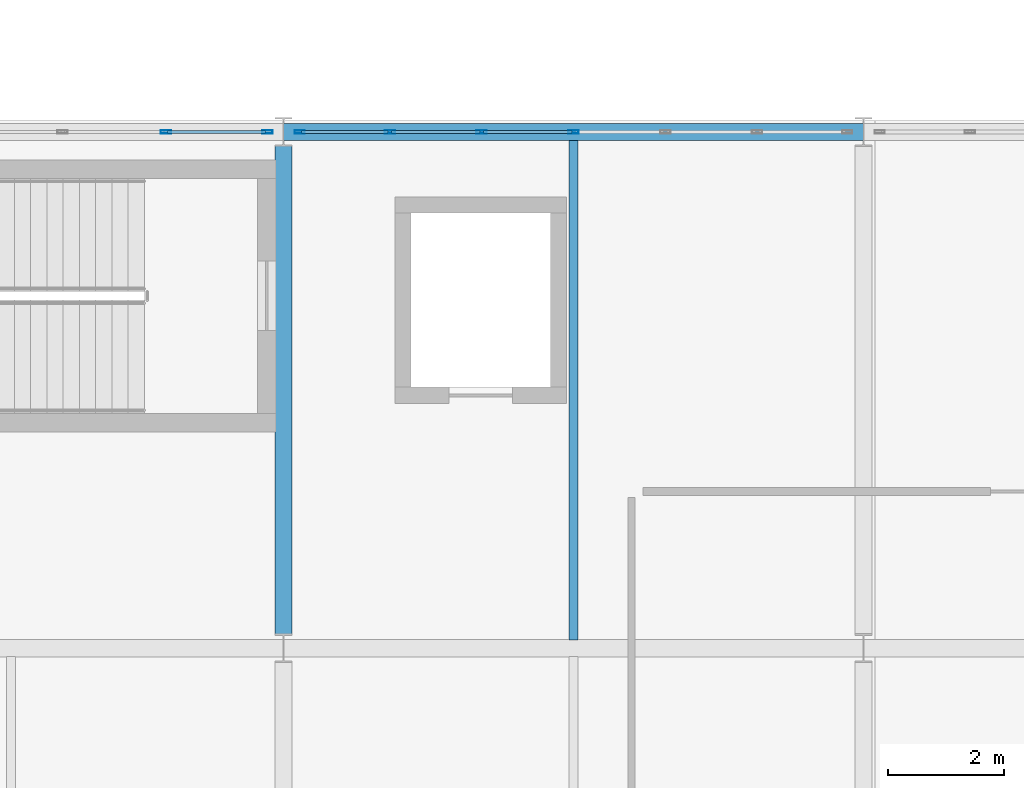
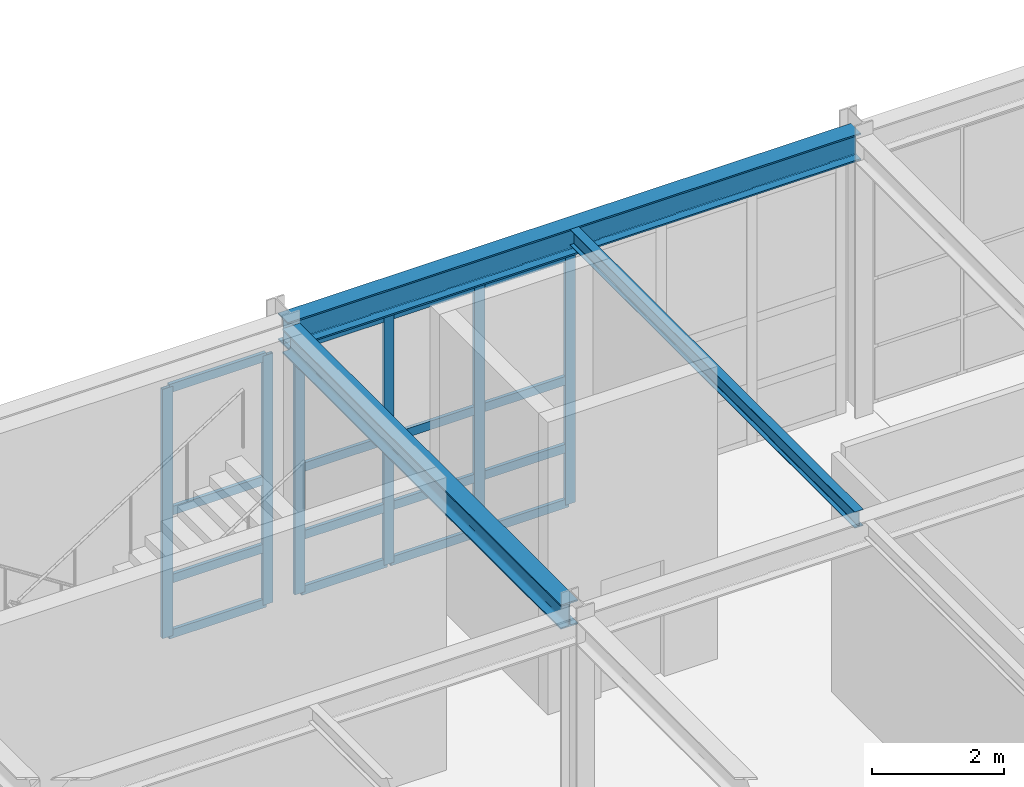
# One storey, part 99 of 210: 22 members, 3 beams, 2 elements without a shape of their own.
"""IFC4 building model written with IfcOpenShell, lengths in metres."""

from ifc_helpers import new_model, si_unit, direction, frame, origin, origin_2d, place, context, subcontext, project, spatial, hollow_rectangle, i_section, extrude, material, material_profile, profile_set, type_object, element, aggregate, save


model = new_model("IFC4")

# Units and contexts
model_context = context("Model", 3, precision=1e-05, world=origin(), true_north=direction((0.0, 1.0)))
body_context = subcontext(model_context, "Body", "Model", "MODEL_VIEW")
ifc_project = project(units=[si_unit("LENGTHUNIT", "METRE"), si_unit("AREAUNIT", "SQUARE_METRE"), si_unit("VOLUMEUNIT", "CUBIC_METRE"), si_unit("PLANEANGLEUNIT", "RADIAN"), si_unit("MASSUNIT", "GRAM", prefix="KILO")], contexts=[model_context])

# Site, building, storey
site_placement = place(None, origin())
site = spatial("IfcSite", under=ifc_project, at=site_placement, CompositionType="ELEMENT")
building_placement = place(site_placement, origin())
building = spatial("IfcBuilding", under=site, at=building_placement, Name="Kaldris Quays Convention Centre", CompositionType="ELEMENT")
storey_placement = place(building_placement, frame((0.0, 0.0, 6.0)))
storey = spatial("IfcBuildingStorey", under=building, at=storey_placement, Name="L01", CompositionType="ELEMENT", Elevation=6.0)

# Curtain wall, members
ifc_material_1 = material(Name="Anodized aluminium AW-6060 and triple glazing", Category="aluminium")
curtain_wall_type = type_object("IfcCurtainWallType", Name="UNITISED CURTAIN WALL CW02", PredefinedType="NOTDEFINED", material=ifc_material_1)
curtain_wall_1_placement = place(storey_placement, origin())
curtain_wall_1 = element("IfcCurtainWall", 1, at=curtain_wall_1_placement, inside=storey, type_object=curtain_wall_type, Name="L01 Unitised Curtain Wall CW02 188", PredefinedType="NOTDEFINED")
ifc_material_2 = material(Name="Anodized aluminium AW-6060", Category="aluminium")
ifc_material_profile_1 = material_profile(ifc_material_2, hollow_rectangle(XDim=0.06005859375, YDim=0.179931640625, WallThickness=0.0048828125, at=origin_2d()), Name="RHS 180x60x5")
ifc_profile_set_1 = profile_set([ifc_material_profile_1], Name="Anodized aluminium AW-6060")
member_type_1 = type_object("IfcMemberType", Name="CURTAIN MULLION CWM2", PredefinedType="MULLION", material=ifc_profile_set_1)
member_1_placement = place(storey_placement, frame((171.969970703125, 37.39990234375, 0.0), z_axis=(0.0, 0.0, 1.0), x_axis=(0.0, 1.0, 0.0)))
member_1 = element("IfcMember", 2, at=member_1_placement, type_object=member_type_1, Name="CW02 mullion 5", PredefinedType="MULLION", context=body_context, shape_type="SweptSolid", body=[
    extrude(hollow_rectangle(XDim=0.06005859375, YDim=0.179931640625, WallThickness=0.0048828125, at=origin_2d()), origin(), (0.0, 0.0, 1.0), 4.60009765625),
])
member_2_placement = place(storey_placement, frame((173.719970703125, 37.39990234375, 0.0), z_axis=(0.0, 0.0, 1.0), x_axis=(0.0, 1.0, 0.0)))
member_2 = element("IfcMember", 3, at=member_2_placement, type_object=member_type_1, Name="CW02 mullion 6", PredefinedType="MULLION", context=body_context, shape_type="SweptSolid", body=[
    extrude(hollow_rectangle(XDim=0.06005859375, YDim=0.179931640625, WallThickness=0.0048828125, at=origin_2d()), origin(), (0.0, 0.0, 1.0), 4.60009765625),
])

curtain_wall_2_placement = place(storey_placement, origin())
curtain_wall_2 = element("IfcCurtainWall", 4, at=curtain_wall_2_placement, inside=storey, type_object=curtain_wall_type, Name="L01 Unitised Curtain Wall CW02 190", PredefinedType="NOTDEFINED")
member_3_placement = place(storey_placement, frame((174.280029296875, 37.39990234375, 0.0), z_axis=(0.0, 0.0, 1.0), x_axis=(0.0, 1.0, 0.0)))
member_3 = element("IfcMember", 5, at=member_3_placement, type_object=member_type_1, Name="CW02 mullion 1", PredefinedType="MULLION", context=body_context, shape_type="SweptSolid", body=[
    extrude(hollow_rectangle(XDim=0.06005859375, YDim=0.179931640625, WallThickness=0.0048828125, at=origin_2d()), origin(), (0.0, 0.0, 1.0), 4.60009765625),
])
member_4_placement = place(storey_placement, frame((175.833251953125, 37.39990234375, 0.0), z_axis=(0.0, 0.0, 1.0), x_axis=(0.0, 1.0, 0.0)))
member_4 = element("IfcMember", 6, at=member_4_placement, type_object=member_type_1, Name="CW02 mullion 2", PredefinedType="MULLION", context=body_context, shape_type="SweptSolid", body=[
    extrude(hollow_rectangle(XDim=0.06005859375, YDim=0.179931640625, WallThickness=0.0048828125, at=origin_2d()), origin(), (0.0, 0.0, 1.0), 4.60009765625),
])
member_5_placement = place(storey_placement, frame((177.416748046875, 37.39990234375, 0.0), z_axis=(0.0, 0.0, 1.0), x_axis=(0.0, 1.0, 0.0)))
member_5 = element("IfcMember", 7, at=member_5_placement, type_object=member_type_1, Name="CW02 mullion 3", PredefinedType="MULLION", context=body_context, shape_type="SweptSolid", body=[
    extrude(hollow_rectangle(XDim=0.06005859375, YDim=0.179931640625, WallThickness=0.0048828125, at=origin_2d()), origin(), (0.0, 0.0, 1.0), 4.60009765625),
])
member_6_placement = place(storey_placement, frame((179.0, 37.39990234375, 0.0), z_axis=(0.0, 0.0, 1.0), x_axis=(0.0, 1.0, 0.0)))
member_6 = element("IfcMember", 8, at=member_6_placement, type_object=member_type_1, Name="CW02 mullion 4", PredefinedType="MULLION", context=body_context, shape_type="SweptSolid", body=[
    extrude(hollow_rectangle(XDim=0.06005859375, YDim=0.179931640625, WallThickness=0.0048828125, at=origin_2d()), origin(), (0.0, 0.0, 1.0), 4.60009765625),
])

# Member
ifc_material_profile_2 = material_profile(ifc_material_2, hollow_rectangle(XDim=0.06005859375, YDim=0.159912109375, WallThickness=0.00390625, at=origin_2d()), Name="RHS 160x60x4")
ifc_profile_set_2 = profile_set([ifc_material_profile_2], Name="Anodized aluminium AW-6060")
member_type_2 = type_object("IfcMemberType", Name="CURTAIN TRANSOM CWT2", PredefinedType="USERDEFINED", material=ifc_profile_set_2)
member_7_placement = place(storey_placement, frame((172.0, 37.39990234375, 0.030029296875), z_axis=(1.0, 0.0, 0.0), x_axis=(0.0, 1.0, 0.0)))
member_7 = element("IfcMember", 9, at=member_7_placement, type_object=member_type_2, Name="CW02 transom 5.1", ObjectType="TRANSOM", PredefinedType="USERDEFINED", context=body_context, shape_type="SweptSolid", body=[
    extrude(hollow_rectangle(XDim=0.06005859375, YDim=0.159912109375, WallThickness=0.00390625, at=origin_2d()), origin(), (0.0, 0.0, 1.0), 1.68994140625),
])

member_8_placement = place(storey_placement, frame((172.0, 37.39990234375, 1.050048828125), z_axis=(1.0, 0.0, 0.0), x_axis=(0.0, 1.0, 0.0)))
member_8 = element("IfcMember", 10, at=member_8_placement, type_object=member_type_2, Name="CW02 transom 5.2", ObjectType="TRANSOM", PredefinedType="USERDEFINED", context=body_context, shape_type="SweptSolid", body=[
    extrude(hollow_rectangle(XDim=0.06005859375, YDim=0.159912109375, WallThickness=0.00390625, at=origin_2d()), origin(), (0.0, 0.0, 1.0), 1.68994140625),
])

member_9_placement = place(storey_placement, frame((172.0, 37.39990234375, 2.300048828125), z_axis=(1.0, 0.0, 0.0), x_axis=(0.0, 1.0, 0.0)))
member_9 = element("IfcMember", 11, at=member_9_placement, type_object=member_type_2, Name="CW02 transom 5.3", ObjectType="TRANSOM", PredefinedType="USERDEFINED", context=body_context, shape_type="SweptSolid", body=[
    extrude(hollow_rectangle(XDim=0.06005859375, YDim=0.159912109375, WallThickness=0.00390625, at=origin_2d()), origin(), (0.0, 0.0, 1.0), 1.68994140625),
])

member_10_placement = place(storey_placement, frame((172.0, 37.39990234375, 4.570068359375), z_axis=(1.0, 0.0, 0.0), x_axis=(0.0, 1.0, 0.0)))
member_10 = element("IfcMember", 12, at=member_10_placement, type_object=member_type_2, Name="CW02 transom 5.4", ObjectType="TRANSOM", PredefinedType="USERDEFINED", context=body_context, shape_type="SweptSolid", body=[
    extrude(hollow_rectangle(XDim=0.06005859375, YDim=0.159912109375, WallThickness=0.00390625, at=origin_2d()), origin(), (0.0, 0.0, 1.0), 1.68994140625),
])

aggregate(curtain_wall_1, [member_1, member_2, member_7, member_8, member_9, member_10])

member_11_placement = place(storey_placement, frame((174.31005859375, 37.39990234375, 0.030029296875), z_axis=(1.0, 0.0, 0.0), x_axis=(0.0, 1.0, 0.0)))
member_11 = element("IfcMember", 13, at=member_11_placement, type_object=member_type_2, Name="CW02 transom 1.1", ObjectType="TRANSOM", PredefinedType="USERDEFINED", context=body_context, shape_type="SweptSolid", body=[
    extrude(hollow_rectangle(XDim=0.06005859375, YDim=0.159912109375, WallThickness=0.00390625, at=origin_2d()), origin(), (0.0, 0.0, 1.0), 1.4931640625),
])

member_12_placement = place(storey_placement, frame((174.31005859375, 37.39990234375, 1.050048828125), z_axis=(1.0, 0.0, 0.0), x_axis=(0.0, 1.0, 0.0)))
member_12 = element("IfcMember", 14, at=member_12_placement, type_object=member_type_2, Name="CW02 transom 1.2", ObjectType="TRANSOM", PredefinedType="USERDEFINED", context=body_context, shape_type="SweptSolid", body=[
    extrude(hollow_rectangle(XDim=0.06005859375, YDim=0.159912109375, WallThickness=0.00390625, at=origin_2d()), origin(), (0.0, 0.0, 1.0), 1.4931640625),
])

member_13_placement = place(storey_placement, frame((174.31005859375, 37.39990234375, 2.300048828125), z_axis=(1.0, 0.0, 0.0), x_axis=(0.0, 1.0, 0.0)))
member_13 = element("IfcMember", 15, at=member_13_placement, type_object=member_type_2, Name="CW02 transom 1.3", ObjectType="TRANSOM", PredefinedType="USERDEFINED", context=body_context, shape_type="SweptSolid", body=[
    extrude(hollow_rectangle(XDim=0.06005859375, YDim=0.159912109375, WallThickness=0.00390625, at=origin_2d()), origin(), (0.0, 0.0, 1.0), 1.4931640625),
])

member_14_placement = place(storey_placement, frame((174.31005859375, 37.39990234375, 4.570068359375), z_axis=(1.0, 0.0, 0.0), x_axis=(0.0, 1.0, 0.0)))
member_14 = element("IfcMember", 16, at=member_14_placement, type_object=member_type_2, Name="CW02 transom 1.4", ObjectType="TRANSOM", PredefinedType="USERDEFINED", context=body_context, shape_type="SweptSolid", body=[
    extrude(hollow_rectangle(XDim=0.06005859375, YDim=0.159912109375, WallThickness=0.00390625, at=origin_2d()), origin(), (0.0, 0.0, 1.0), 1.4931640625),
])

member_15_placement = place(storey_placement, frame((175.86328125, 37.39990234375, 0.030029296875), z_axis=(1.0, 0.0, 0.0), x_axis=(0.0, 1.0, 0.0)))
member_15 = element("IfcMember", 17, at=member_15_placement, type_object=member_type_2, Name="CW02 transom 2.1", ObjectType="TRANSOM", PredefinedType="USERDEFINED", context=body_context, shape_type="SweptSolid", body=[
    extrude(hollow_rectangle(XDim=0.06005859375, YDim=0.159912109375, WallThickness=0.00390625, at=origin_2d()), origin(), (0.0, 0.0, 1.0), 1.5234375),
])

member_16_placement = place(storey_placement, frame((175.86328125, 37.39990234375, 1.050048828125), z_axis=(1.0, 0.0, 0.0), x_axis=(0.0, 1.0, 0.0)))
member_16 = element("IfcMember", 18, at=member_16_placement, type_object=member_type_2, Name="CW02 transom 2.2", ObjectType="TRANSOM", PredefinedType="USERDEFINED", context=body_context, shape_type="SweptSolid", body=[
    extrude(hollow_rectangle(XDim=0.06005859375, YDim=0.159912109375, WallThickness=0.00390625, at=origin_2d()), origin(), (0.0, 0.0, 1.0), 1.5234375),
])

member_17_placement = place(storey_placement, frame((175.86328125, 37.39990234375, 2.300048828125), z_axis=(1.0, 0.0, 0.0), x_axis=(0.0, 1.0, 0.0)))
member_17 = element("IfcMember", 19, at=member_17_placement, type_object=member_type_2, Name="CW02 transom 2.3", ObjectType="TRANSOM", PredefinedType="USERDEFINED", context=body_context, shape_type="SweptSolid", body=[
    extrude(hollow_rectangle(XDim=0.06005859375, YDim=0.159912109375, WallThickness=0.00390625, at=origin_2d()), origin(), (0.0, 0.0, 1.0), 1.5234375),
])

member_18_placement = place(storey_placement, frame((175.86328125, 37.39990234375, 4.570068359375), z_axis=(1.0, 0.0, 0.0), x_axis=(0.0, 1.0, 0.0)))
member_18 = element("IfcMember", 20, at=member_18_placement, type_object=member_type_2, Name="CW02 transom 2.4", ObjectType="TRANSOM", PredefinedType="USERDEFINED", context=body_context, shape_type="SweptSolid", body=[
    extrude(hollow_rectangle(XDim=0.06005859375, YDim=0.159912109375, WallThickness=0.00390625, at=origin_2d()), origin(), (0.0, 0.0, 1.0), 1.5234375),
])

member_19_placement = place(storey_placement, frame((177.44677734375, 37.39990234375, 0.030029296875), z_axis=(1.0, 0.0, 0.0), x_axis=(0.0, 1.0, 0.0)))
member_19 = element("IfcMember", 21, at=member_19_placement, type_object=member_type_2, Name="CW02 transom 3.1", ObjectType="TRANSOM", PredefinedType="USERDEFINED", context=body_context, shape_type="SweptSolid", body=[
    extrude(hollow_rectangle(XDim=0.06005859375, YDim=0.159912109375, WallThickness=0.00390625, at=origin_2d()), origin(), (0.0, 0.0, 1.0), 1.523193359375),
])

member_20_placement = place(storey_placement, frame((177.44677734375, 37.39990234375, 1.050048828125), z_axis=(1.0, 0.0, 0.0), x_axis=(0.0, 1.0, 0.0)))
member_20 = element("IfcMember", 22, at=member_20_placement, type_object=member_type_2, Name="CW02 transom 3.2", ObjectType="TRANSOM", PredefinedType="USERDEFINED", context=body_context, shape_type="SweptSolid", body=[
    extrude(hollow_rectangle(XDim=0.06005859375, YDim=0.159912109375, WallThickness=0.00390625, at=origin_2d()), origin(), (0.0, 0.0, 1.0), 1.523193359375),
])

member_21_placement = place(storey_placement, frame((177.44677734375, 37.39990234375, 2.300048828125), z_axis=(1.0, 0.0, 0.0), x_axis=(0.0, 1.0, 0.0)))
member_21 = element("IfcMember", 23, at=member_21_placement, type_object=member_type_2, Name="CW02 transom 3.3", ObjectType="TRANSOM", PredefinedType="USERDEFINED", context=body_context, shape_type="SweptSolid", body=[
    extrude(hollow_rectangle(XDim=0.06005859375, YDim=0.159912109375, WallThickness=0.00390625, at=origin_2d()), origin(), (0.0, 0.0, 1.0), 1.523193359375),
])

member_22_placement = place(storey_placement, frame((177.44677734375, 37.39990234375, 4.570068359375), z_axis=(1.0, 0.0, 0.0), x_axis=(0.0, 1.0, 0.0)))
member_22 = element("IfcMember", 24, at=member_22_placement, type_object=member_type_2, Name="CW02 transom 3.4", ObjectType="TRANSOM", PredefinedType="USERDEFINED", context=body_context, shape_type="SweptSolid", body=[
    extrude(hollow_rectangle(XDim=0.06005859375, YDim=0.159912109375, WallThickness=0.00390625, at=origin_2d()), origin(), (0.0, 0.0, 1.0), 1.523193359375),
])

aggregate(curtain_wall_2, [member_3, member_4, member_5, member_6, member_11, member_12, member_13, member_14, member_15, member_16, member_17, member_18, member_19, member_20, member_21, member_22])

# Beams
ifc_material_3 = material(Name="Steel S355J2", Category="steel")
ifc_material_profile_3 = material_profile(ifc_material_3, i_section(OverallWidth=0.300048828125, OverallDepth=0.5, WebThickness=0.014404296875, FlangeThickness=0.028076171875, FilletRadius=0.027099609375, at=origin_2d()), Name="HEB 500")
ifc_profile_set_3 = profile_set([ifc_material_profile_3], Name="Steel S355J2")
beam_type_1 = type_object("IfcBeamType", Name="STRUCTURAL BEAM BM06", PredefinedType="BEAM", material=ifc_profile_set_3)
beam_1_placement = place(storey_placement, frame((174.001220703125, 37.39990234375, 4.9130859375), z_axis=(1.0, 0.0, 0.0), x_axis=(0.0, 1.0, 0.0)))
element("IfcBeam", 25, at=beam_1_placement, inside=storey, type_object=beam_type_1, Name="L01 Girder BM06 13", PredefinedType="BEAM", context=body_context, shape_type="SweptSolid", body=[
    extrude(i_section(OverallWidth=0.300048828125, OverallDepth=0.5, WebThickness=0.014404296875, FlangeThickness=0.028076171875, FilletRadius=0.027099609375, at=origin_2d()), origin(), (0.0, 0.0, 1.0), 9.99755859375),
])
ifc_material_profile_4 = material_profile(ifc_material_3, i_section(OverallWidth=0.300048828125, OverallDepth=0.449951171875, WebThickness=0.013916015625, FlangeThickness=0.02587890625, FilletRadius=0.027099609375, at=origin_2d()), Name="HEB 450")
ifc_profile_set_4 = profile_set([ifc_material_profile_4], Name="Steel S355J2")
beam_type_2 = type_object("IfcBeamType", Name="STRUCTURAL BEAM BM07", PredefinedType="BEAM", material=ifc_profile_set_4)
beam_2_placement = place(storey_placement, frame((174.0, 28.743896484375, 4.93798828125), z_axis=(0.0, 1.0, 0.0), x_axis=(-1.0, 0.0, 0.0)))
element("IfcBeam", 26, at=beam_2_placement, inside=storey, type_object=beam_type_2, Name="L01 Girder BM07 21", PredefinedType="BEAM", context=body_context, shape_type="SweptSolid", body=[
    extrude(i_section(OverallWidth=0.300048828125, OverallDepth=0.449951171875, WebThickness=0.013916015625, FlangeThickness=0.02587890625, FilletRadius=0.027099609375, at=origin_2d()), origin(), (0.0, 0.0, 1.0), 8.412109375),
])
ifc_material_profile_5 = material_profile(ifc_material_3, i_section(OverallWidth=0.14990234375, OverallDepth=0.300048828125, WebThickness=0.007080078125, FlangeThickness=0.0107421875, FilletRadius=0.014892578125, at=origin_2d()), Name="IPE 300")
ifc_profile_set_5 = profile_set([ifc_material_profile_5], Name="Steel S355J2")
beam_type_3 = type_object("IfcBeamType", Name="STRUCTURAL BEAM JT04", PredefinedType="JOIST", material=ifc_profile_set_5)
beam_3_placement = place(storey_placement, frame((179.0, 28.64404296875, 5.012939453125), z_axis=(0.0, 1.0, 0.0), x_axis=(-1.0, 0.0, 0.0)))
element("IfcBeam", 27, at=beam_3_placement, inside=storey, type_object=beam_type_3, Name="L01 Secondary Joist JT04 6", PredefinedType="JOIST", context=body_context, shape_type="SweptSolid", body=[
    extrude(i_section(OverallWidth=0.14990234375, OverallDepth=0.300048828125, WebThickness=0.007080078125, FlangeThickness=0.0107421875, FilletRadius=0.014892578125, at=origin_2d()), origin(), (0.0, 0.0, 1.0), 8.612060546875),
])

save(model, "model.ifc")
